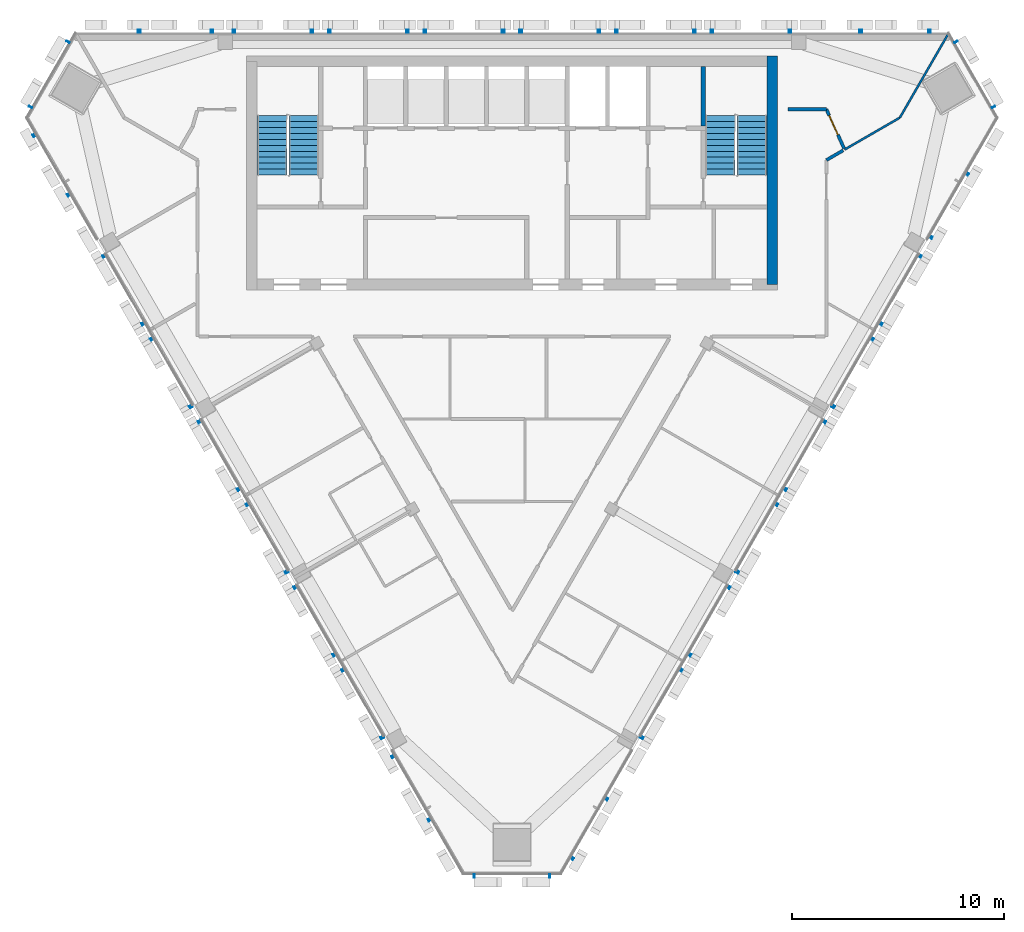
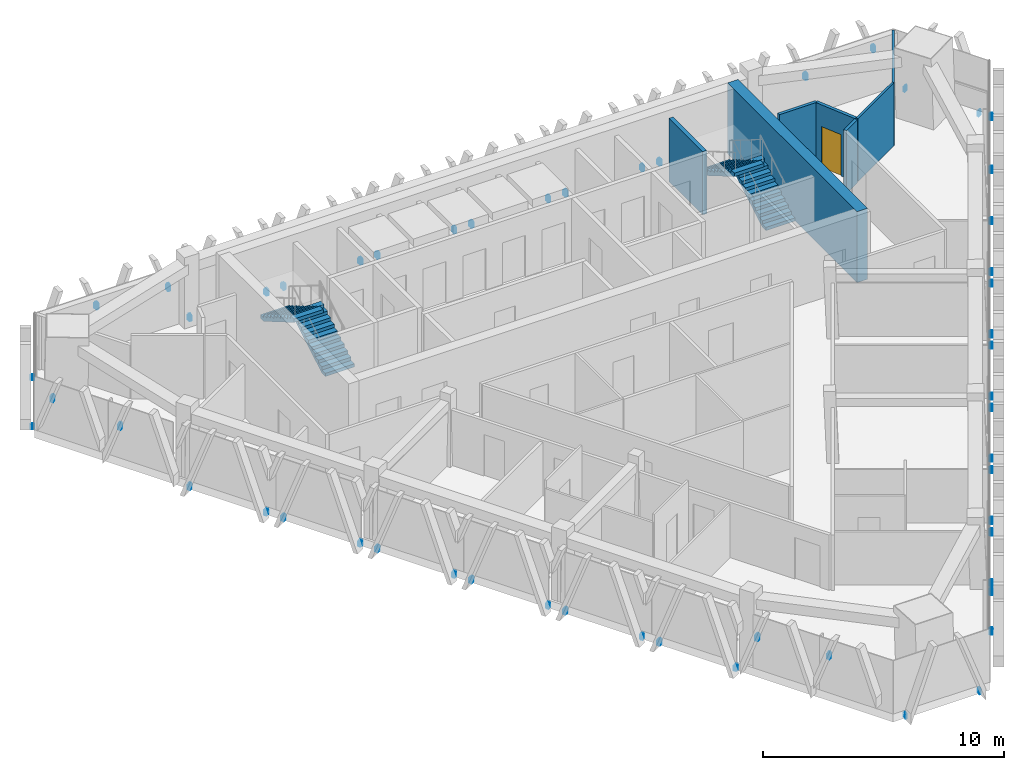
# One storey, part 10 of 12: 7 walls, 6 discrete accessories, 4 stair flights, 1 door, 1 opening, 2 elements without a shape of their own.
"""IFC4 building model written with IfcOpenShell, lengths in metres."""

import ifcopenshell
import ifcopenshell.guid

model = None  # the IFC model being written
_history = None  # IfcOwnerHistory: only IFC2X3 demands one
_inside = {}  # id of a spatial element -> (the spatial element, [elements in it])
_under = {}  # id of a project, library or spatial element -> (it, [spatial elements below it])
_declared = {}  # id of a project -> (the project, [libraries it declares])
_typed = {}  # id of a type object -> (the type object, [elements of that type])
_made_of = {}  # id of a material, layer set ... -> (it, [elements and type objects made of it])


def new_model(schema):
    """Start an empty IFC model of exactly this schema.

    Asked for "IFC4X3", IfcOpenShell would pick the latest addendum, in which some entities
    have other attributes; the version numbers below select the first issue.
    IFC2X3 requires an IfcOwnerHistory on every rooted entity: one is made here for all.
    """
    global model, _history
    if schema == "IFC4X3":
        model = ifcopenshell.file(schema_version=(4, 3, 0, 0))
    else:
        model = ifcopenshell.file(schema=schema)
    _inside.clear()
    _under.clear()
    _declared.clear()
    _typed.clear()
    _made_of.clear()
    _history = None
    if model.schema == "IFC2X3":
        org = make("IfcOrganization", Name="unknown")
        user = make(
            "IfcPersonAndOrganization",
            ThePerson=make("IfcPerson", FamilyName="unknown"),
            TheOrganization=org,
        )
        app = make(
            "IfcApplication",
            ApplicationDeveloper=org,
            Version="unknown",
            ApplicationFullName="unknown",
            ApplicationIdentifier="unknown",
        )
        _history = make(
            "IfcOwnerHistory",
            OwningUser=user,
            OwningApplication=app,
            ChangeAction="ADDED",
            CreationDate=0,
        )
    return model


def make(cls, **values):
    """One entity of the class cls with the attributes given. An attribute that is None is left unset."""
    return model.create_entity(
        cls, **{name: value for name, value in values.items() if value is not None}
    )


def rooted(cls, **values):
    """An entity with a GlobalId (a new one), such as an element, a storey or a relation."""
    return make(cls, GlobalId=ifcopenshell.guid.new(), OwnerHistory=_history, **values)


def si_unit(unit_type, name, prefix=None):
    """IfcSIUnit, for example si_unit("LENGTHUNIT", "METRE", prefix="MILLI")."""
    return make("IfcSIUnit", UnitType=unit_type, Prefix=prefix, Name=name)


def assignment(units):
    """IfcUnitAssignment: the units of a project."""
    return None if units is None else make("IfcUnitAssignment", Units=units)


def point(xyz):
    """IfcCartesianPoint."""
    return None if xyz is None else make("IfcCartesianPoint", Coordinates=xyz)


def direction(xyz):
    """IfcDirection."""
    return None if xyz is None else make("IfcDirection", DirectionRatios=xyz)


def frame(location, z_axis=None, x_axis=None):
    """IfcAxis2Placement3D, a coordinate frame: its origin and axes. An axis left out is left unset."""
    return make(
        "IfcAxis2Placement3D",
        Location=point(location),
        Axis=direction(z_axis),
        RefDirection=direction(x_axis),
    )


def frame_2d(location, x_axis=None):
    """IfcAxis2Placement2D, a coordinate frame in the plane: its origin and x axis."""
    return make(
        "IfcAxis2Placement2D", Location=point(location), RefDirection=direction(x_axis)
    )


def origin():
    """The frame at (0, 0, 0) with its axes left unset."""
    return frame((0.0, 0.0, 0.0))


def place(relative_to, where):
    """IfcLocalPlacement: puts the frame where relative to a parent placement (None: the world)."""
    return make(
        "IfcLocalPlacement", PlacementRelTo=relative_to, RelativePlacement=where
    )


def context(
    kind, dimensions, precision=None, world=None, true_north=None, identifier=None
):
    """IfcGeometricRepresentationContext, for example the 3D "Model" context."""
    return make(
        "IfcGeometricRepresentationContext",
        ContextIdentifier=identifier,
        ContextType=kind,
        CoordinateSpaceDimension=dimensions,
        Precision=precision,
        WorldCoordinateSystem=world,
        TrueNorth=true_north,
    )


def subcontext(parent, identifier, kind, view, scale=None):
    """IfcGeometricRepresentationSubContext, for example "Body" below "Model"."""
    return make(
        "IfcGeometricRepresentationSubContext",
        ContextIdentifier=identifier,
        ContextType=kind,
        ParentContext=parent,
        TargetScale=scale,
        TargetView=view,
    )


def project(units=None, contexts=None):
    """IfcProject with its units and contexts."""
    return rooted(
        "IfcProject",
        Name="project",
        RepresentationContexts=contexts,
        UnitsInContext=assignment(units),
    )


def spatial(cls, under=None, at=None, **own):
    """A site, building, storey or space (cls), placed at a placement, below another one or the project."""
    s = rooted(cls, ObjectPlacement=at, **own)
    if under is not None:
        _under.setdefault(under.id(), (under, []))[1].append(s)
    return s


def polyline(points):
    """IfcPolyline through the points."""
    return make("IfcPolyline", Points=[point(p) for p in points])


def profile(cls, at=None, kind="AREA", **sizes):
    """A parametric profile (cls). Its sizes go by their IFC names, for example OverallWidth=200.0."""
    return make(cls, ProfileType=kind, Position=at, **sizes)


def rectangle(**sizes):
    """IfcRectangleProfileDef."""
    return profile("IfcRectangleProfileDef", **sizes)


def outline(outer, holes=None, kind="AREA"):
    """IfcArbitraryClosedProfileDef: a profile drawn as a closed curve; with holes, ...WithVoids."""
    if holes is None:
        return make("IfcArbitraryClosedProfileDef", ProfileType=kind, OuterCurve=outer)
    return make(
        "IfcArbitraryProfileDefWithVoids",
        ProfileType=kind,
        OuterCurve=outer,
        InnerCurves=holes,
    )


def extrude(swept, where, along, depth):
    """IfcExtrudedAreaSolid: the profile swept, set in the frame where, extruded along a direction by depth."""
    return make(
        "IfcExtrudedAreaSolid",
        SweptArea=swept,
        Position=where,
        ExtrudedDirection=direction(along),
        Depth=depth,
    )


def shape(context_of_items, identifier, shape_type, items):
    """IfcShapeRepresentation: the items that make up one representation, for example the "Body"."""
    return make(
        "IfcShapeRepresentation",
        ContextOfItems=context_of_items,
        RepresentationIdentifier=identifier,
        RepresentationType=shape_type,
        Items=items,
    )


def source(mapping_origin, context_of_items, identifier, shape_type, items):
    """IfcRepresentationMap: a shape defined once, which mapped items show again and again."""
    return make(
        "IfcRepresentationMap",
        MappingOrigin=mapping_origin,
        MappedRepresentation=shape(context_of_items, identifier, shape_type, items),
    )


def transform(
    local_origin,
    x_axis=None,
    y_axis=None,
    z_axis=None,
    scale=None,
    scale2=None,
    scale3=None,
    uniform=True,
):
    """IfcCartesianTransformationOperator3D, or its non-uniform kind. x_axis, y_axis, z_axis: its Axis1, 2, 3."""
    if uniform:
        return make(
            "IfcCartesianTransformationOperator3D",
            Axis1=direction(x_axis),
            Axis2=direction(y_axis),
            LocalOrigin=point(local_origin),
            Scale=scale,
            Axis3=direction(z_axis),
        )
    return make(
        "IfcCartesianTransformationOperator3DnonUniform",
        Axis1=direction(x_axis),
        Axis2=direction(y_axis),
        LocalOrigin=point(local_origin),
        Scale=scale,
        Axis3=direction(z_axis),
        Scale2=scale2,
        Scale3=scale3,
    )


def mapped(mapping_source, mapping_target):
    """IfcMappedItem: shows the shape of a source again, moved by a transform."""
    return make(
        "IfcMappedItem", MappingSource=mapping_source, MappingTarget=mapping_target
    )


def material(Name=None, Category=None):
    """IfcMaterial."""
    return make("IfcMaterial", Name=Name, Category=Category)


def layer(
    of_material, thickness, ventilated=None, Name=None, Category=None, Priority=None
):
    """IfcMaterialLayer: one layer of a wall or slab, of a material (None: an air gap)."""
    return make(
        "IfcMaterialLayer",
        Material=of_material,
        LayerThickness=thickness,
        IsVentilated=ventilated,
        Name=Name,
        Category=Category,
        Priority=Priority,
    )


def layer_set(layers, Name=None):
    """IfcMaterialLayerSet."""
    return make("IfcMaterialLayerSet", MaterialLayers=layers, LayerSetName=Name)


def made_of(thing, what):
    """Note that an element or type object is made of a material, layer set ...; save() writes the relation."""
    if what is not None:
        _made_of.setdefault(what.id(), (what, []))[1].append(thing)
    return thing


def type_object(cls, material=None, **own):
    """A type object (cls), such as IfcWallType, which elements share."""
    return made_of(rooted(cls, **own), material)


def element(
    cls,
    number,
    at=None,
    inside=None,
    cuts=None,
    type_object=None,
    material=None,
    context=None,
    identifier="Body",
    shape_type=None,
    held_by="IfcProductDefinitionShape",
    body=None,
    shapes=None,
    **own,
):
    """One element of the class cls, such as IfcWall. Its Tag is "e" and its number.

    at: its placement. inside: the storey or other place that contains it. cuts: it is an
    opening in that element (IfcRelVoidsElement). A single representation is given by context,
    identifier, shape_type and body (its items); several are given by shapes. held_by: the class
    of the entity that holds the representations. save() writes the other relations.
    """
    e = rooted(cls, Tag="e%d" % number, ObjectPlacement=at, **own)
    if body is not None:
        shapes = [shape(context, identifier, shape_type, body)]
    if shapes is not None:
        e.Representation = make(held_by, Representations=shapes)
    if inside is not None:
        _inside.setdefault(inside.id(), (inside, []))[1].append(e)
    if cuts is not None:
        rooted(
            "IfcRelVoidsElement", RelatingBuildingElement=cuts, RelatedOpeningElement=e
        )
    if type_object is not None:
        _typed.setdefault(type_object.id(), (type_object, []))[1].append(e)
    return made_of(e, material)


def fill(opening, filler):
    """IfcRelFillsElement: the door or window that sits in an opening."""
    return rooted(
        "IfcRelFillsElement",
        RelatingOpeningElement=opening,
        RelatedBuildingElement=filler,
    )


def aggregate(whole, parts):
    """IfcRelAggregates: a whole, such as a stair, and the parts it consists of."""
    return rooted("IfcRelAggregates", RelatingObject=whole, RelatedObjects=parts)


def save(model, path):
    """Write the relations noted so far, then the file.

    IfcRelAggregates (storeys below a building ...), IfcRelContainedInSpatialStructure (elements
    in a storey), IfcRelDefinesByType, IfcRelAssociatesMaterial and IfcRelDeclares: one each for
    every whole, place, type object, material and project.
    """
    for whole, parts in _under.values():
        aggregate(whole, parts)
    for where, things in _inside.values():
        rooted(
            "IfcRelContainedInSpatialStructure",
            RelatedElements=things,
            RelatingStructure=where,
        )
    for kind, things in _typed.values():
        rooted("IfcRelDefinesByType", RelatedObjects=things, RelatingType=kind)
    for what, things in _made_of.values():
        rooted("IfcRelAssociatesMaterial", RelatedObjects=things, RelatingMaterial=what)
    for by, libraries in _declared.values():
        rooted("IfcRelDeclares", RelatingContext=by, RelatedDefinitions=libraries)
    model.write(path)


model = new_model("IFC4")

# Units and contexts
model_context = context("Model", 3, precision=1e-05, world=origin(), true_north=direction((0.0, 1.0)))
body_context = subcontext(model_context, "Body", "Model", "MODEL_VIEW")
ifc_project = project(units=[si_unit("LENGTHUNIT", "METRE"), si_unit("AREAUNIT", "SQUARE_METRE"), si_unit("VOLUMEUNIT", "CUBIC_METRE"), si_unit("PLANEANGLEUNIT", "RADIAN"), si_unit("MASSUNIT", "GRAM", prefix="KILO")], contexts=[model_context])

# Site, building, storey
site_placement = place(None, origin())
site = spatial("IfcSite", under=ifc_project, at=site_placement, CompositionType="ELEMENT")
building_placement = place(site_placement, origin())
building = spatial("IfcBuilding", under=site, at=building_placement, Name="Altiplano Prism Tower", CompositionType="ELEMENT")
storey_placement = place(building_placement, frame((0.0, 0.0, 278.800048828125)))
storey = spatial("IfcBuildingStorey", under=building, at=storey_placement, Name="L72", CompositionType="ELEMENT", Elevation=278.800048828125)

# Walls
ifc_material_1 = material(Name="Concrete C60/75", Category="concrete")
ifc_layer_1 = layer(ifc_material_1, 0.5)
ifc_layer_set_1 = layer_set([ifc_layer_1], Name="Concrete C60/75")
wall_type_1 = type_object("IfcWallType", Name="Core wall 500", PredefinedType="SHEAR", material=ifc_layer_set_1)
wall_1_placement = place(storey_placement, frame((97.25, 93.14990234375, 0.0), z_axis=(0.0, 0.0, 1.0), x_axis=(0.0, 1.0, 0.0)))
element("IfcWall", 1, at=wall_1_placement, inside=storey, type_object=wall_type_1, Name="Core wall E L72", PredefinedType="SHEAR", context=body_context, shape_type="SweptSolid", body=[
    extrude(rectangle(XDim=10.75, YDim=0.5, at=frame_2d((5.375, 0.0))), origin(), (0.0, 0.0, 1.0), 3.599853515625),
])
ifc_material_2 = material(Name="Plasterboard on steel stud", Category="steel")
ifc_layer_2 = layer(ifc_material_2, 0.10009765625)
ifc_layer_set_2 = layer_set([ifc_layer_2], Name="Plasterboard on steel stud")
wall_type_2 = type_object("IfcWallType", Name="Partition 100 wet", PredefinedType="PARTITIONING", material=ifc_layer_set_2)
wall_2_placement = place(storey_placement, frame((105.50927734375, 104.89990234375, 0.0), z_axis=(0.0, 0.0, 1.0), x_axis=(-0.500041721178, -0.866001314711, 0.0)))
element("IfcWall", 2, at=wall_2_placement, inside=storey, type_object=wall_type_2, Name="Partition P03 L72 045", PredefinedType="PARTITIONING", context=body_context, shape_type="SweptSolid", body=[
    extrude(rectangle(XDim=4.5009765625, YDim=0.10009765625, at=frame_2d((2.25048828125, 0.0))), origin(), (0.0, 0.0, 1.0), 2.699951171875),
])
wall_3_placement = place(storey_placement, frame((103.258544921875, 101.001953125, 0.0), z_axis=(0.0, 0.0, 1.0), x_axis=(-0.866013688016, -0.500020291757, 0.0)))
element("IfcWall", 3, at=wall_3_placement, inside=storey, type_object=wall_type_2, Name="Partition P03 L72 046", PredefinedType="PARTITIONING", context=body_context, shape_type="SweptSolid", body=[
    extrude(rectangle(XDim=3.00390625, YDim=0.10009765625, at=frame_2d((1.501953125, 0.0))), origin(), (0.0, 0.0, 1.0), 3.199951171875),
])
ifc_layer_3 = layer(ifc_material_2, 0.14990234375)
ifc_layer_set_3 = layer_set([ifc_layer_3], Name="Plasterboard on steel stud")
wall_type_3 = type_object("IfcWallType", Name="Partition 150 corridor", PredefinedType="PARTITIONING", material=ifc_layer_set_3)
wall_4_placement = place(storey_placement, frame((99.800048828125, 99.005126953125, 0.0), z_axis=(0.0, 0.0, 1.0), x_axis=(0.866034527326, 0.49998419723, 0.0)))
element("IfcWall", 4, at=wall_4_placement, inside=storey, type_object=wall_type_3, Name="Partition P06 L72 011", PredefinedType="PARTITIONING", context=body_context, shape_type="SweptSolid", body=[
    extrude(rectangle(XDim=0.9150390625, YDim=0.14990234375, at=frame_2d((0.45751953125, 0.0))), origin(), (0.0, 0.0, 1.0), 3.199951171875),
])

# Wall, opening, door
wall_5_placement = place(storey_placement, frame((100.63330078125, 99.552734375, 0.0), z_axis=(0.0, 0.0, 1.0), x_axis=(-0.411196089884, 0.911546913584, 0.0)))
wall_5 = element("IfcWall", 5, at=wall_5_placement, inside=storey, type_object=wall_type_3, Name="Partition P06 L72 015", PredefinedType="PARTITIONING", context=body_context, shape_type="SweptSolid", body=[
    extrude(rectangle(XDim=2.0263671875, YDim=0.14990234375, at=frame_2d((1.01318359375, 0.0))), origin(), (0.0, 0.0, 1.0), 3.199951171875),
])
opening_placement = place(wall_5_placement, frame((0.7080078125, 0.0, 0.0)))
opening = element("IfcOpeningElement", 6, at=opening_placement, cuts=wall_5, Name="Opening D2267", PredefinedType="OPENING", context=body_context, shape_type="SweptSolid", body=[
    extrude(rectangle(XDim=1.0, YDim=2.10009765625, at=frame_2d((0.5, 1.050048828125))), frame((0.0, 0.08544921875, 0.0), z_axis=(0.0, -1.0, 0.0), x_axis=(1.0, 0.0, 0.0)), (0.0, 0.0, 1.0), 0.1708984375),
])
ifc_material_3 = material(Name="Timber", Category="wood")
door_type = type_object("IfcDoorType", Name="Store door 1000 x 2100", OperationType="NOTDEFINED", PredefinedType="NOTDEFINED", material=ifc_material_3)
door_placement = place(opening_placement, origin())
door = element("IfcDoor", 7, at=door_placement, inside=storey, type_object=door_type, Name="Door D2267", OperationType="SINGLE_SWING_LEFT", OverallHeight=2.10009765625, OverallWidth=1.0, PredefinedType="NOTDEFINED", context=body_context, shape_type="SweptSolid", body=[
    extrude(rectangle(XDim=1.0, YDim=2.10009765625, at=frame_2d((0.5, 1.050048828125))), frame((0.0, 0.02490234375, 0.0), z_axis=(0.0, -1.0, 0.0), x_axis=(1.0, 0.0, 0.0)), (0.0, 0.0, 1.0), 0.050048828125),
])
fill(opening, door)

# Walls
wall_6_placement = place(storey_placement, frame((99.800048828125, 101.39990234375, 0.0), z_axis=(0.0, 0.0, 1.0), x_axis=(-1.0, 0.0, 0.0)))
element("IfcWall", 8, at=wall_6_placement, inside=storey, type_object=wall_type_3, Name="Partition P06 L72 016", PredefinedType="PARTITIONING", context=body_context, shape_type="SweptSolid", body=[
    extrude(rectangle(XDim=1.800048828125, YDim=0.14990234375, at=frame_2d((0.89990234375, 0.0))), origin(), (0.0, 0.0, 1.0), 3.199951171875),
])
ifc_layer_4 = layer(ifc_material_1, 0.199951171875)
ifc_layer_set_4 = layer_set([ifc_layer_4], Name="Concrete C60/75")
wall_type_4 = type_object("IfcWallType", Name="Stair wall 200", PredefinedType="SOLIDWALL", material=ifc_layer_set_4)
wall_7_placement = place(storey_placement, frame((94.0, 100.60009765625, 0.0), z_axis=(0.0, 0.0, 1.0), x_axis=(0.0, 1.0, 0.0)))
element("IfcWall", 9, at=wall_7_placement, inside=storey, type_object=wall_type_4, Name="Stair wall L72", PredefinedType="SOLIDWALL", context=body_context, shape_type="SweptSolid", body=[
    extrude(rectangle(XDim=2.7998046875, YDim=0.199951171875, at=frame_2d((1.39990234375, 0.0))), origin(), (0.0, 0.0, 1.0), 3.199951171875),
])

# Stair, stair flights
ifc_material_4 = material(Name="Concrete C40/50", Category="concrete")
stair_type = type_object("IfcStairType", Name="Exit stair 1400", PredefinedType="HALF_TURN_STAIR", material=ifc_material_4)
stair_1_placement = place(storey_placement, origin())
stair_1 = element("IfcStair", 10, at=stair_1_placement, inside=storey, type_object=stair_type, Name="L72 Exit Stair 1", PredefinedType="HALF_TURN_STAIR")
stair_flight_type = type_object("IfcStairFlightType", Name="Stair flight concrete 150", PredefinedType="STRAIGHT", material=ifc_material_4)
stair_flight_1_placement = place(storey_placement, frame((75.199951171875, 98.300048828125, 0.0), z_axis=(0.0, 0.0, 1.0), x_axis=(0.0, 1.0, 0.0)))
stair_flight_1 = element("IfcStairFlight", 11, at=stair_flight_1_placement, type_object=stair_flight_type, Name="ST1 flight 1", NumberOfRisers=11, NumberOfTreads=10, PredefinedType="STRAIGHT", RiserHeight=0.163636364, TreadLength=0.28, context=body_context, shape_type="SweptSolid", body=[
    extrude(outline(polyline([(0.0, 0.0), (0.0, 0.16357421875), (0.280029296875, 0.16357421875), (0.280029296875, 0.327392578125), (0.56005859375, 0.327392578125), (0.56005859375, 0.490966796875), (0.840087890625, 0.490966796875), (0.840087890625, 0.654541015625), (1.1201171875, 0.654541015625), (1.1201171875, 0.818115234375), (1.39990234375, 0.818115234375), (1.39990234375, 0.98193359375), (1.679931640625, 0.98193359375), (1.679931640625, 1.1455078125), (1.9599609375, 1.1455078125), (1.9599609375, 1.30908203125), (2.239990234375, 1.30908203125), (2.239990234375, 1.47265625), (2.52001953125, 1.47265625), (2.52001953125, 1.636474609375), (2.800048828125, 1.636474609375), (2.800048828125, 1.800048828125), (2.800048828125, 1.462646484375), (0.297119140625, 0.0), (0.0, 0.0)])), frame((0.0, 0.699951171875, 0.0), z_axis=(0.0, -1.0, 0.0), x_axis=(1.0, 0.0, 0.0)), (0.0, 0.0, 1.0), 1.39990234375),
])
stair_flight_2_placement = place(storey_placement, frame((73.699951171875, 101.10009765625, 1.800048828125), z_axis=(0.0, 0.0, 1.0), x_axis=(0.0, -1.0, 0.0)))
stair_flight_2 = element("IfcStairFlight", 12, at=stair_flight_2_placement, type_object=stair_flight_type, Name="ST1 flight 2", NumberOfRisers=11, NumberOfTreads=10, PredefinedType="STRAIGHT", RiserHeight=0.163636364, TreadLength=0.28, context=body_context, shape_type="SweptSolid", body=[
    extrude(outline(polyline([(0.0, 0.0), (0.0, 0.16357421875), (0.280029296875, 0.16357421875), (0.280029296875, 0.327392578125), (0.56005859375, 0.327392578125), (0.56005859375, 0.490966796875), (0.840087890625, 0.490966796875), (0.840087890625, 0.654541015625), (1.1201171875, 0.654541015625), (1.1201171875, 0.818115234375), (1.39990234375, 0.818115234375), (1.39990234375, 0.98193359375), (1.679931640625, 0.98193359375), (1.679931640625, 1.1455078125), (1.9599609375, 1.1455078125), (1.9599609375, 1.30908203125), (2.239990234375, 1.30908203125), (2.239990234375, 1.47265625), (2.52001953125, 1.47265625), (2.52001953125, 1.636474609375), (2.800048828125, 1.636474609375), (2.800048828125, 1.800048828125), (2.800048828125, 1.462646484375), (0.297119140625, 0.0), (0.0, 0.0)])), frame((0.0, 0.699951171875, 0.0), z_axis=(0.0, -1.0, 0.0), x_axis=(1.0, 0.0, 0.0)), (0.0, 0.0, 1.0), 1.39990234375),
])
aggregate(stair_1, [stair_flight_1, stair_flight_2])

stair_2_placement = place(storey_placement, origin())
stair_2 = element("IfcStair", 13, at=stair_2_placement, inside=storey, type_object=stair_type, Name="L72 Exit Stair 2", PredefinedType="HALF_TURN_STAIR")
stair_flight_3_placement = place(storey_placement, frame((96.300048828125, 98.300048828125, 0.0), z_axis=(0.0, 0.0, 1.0), x_axis=(0.0, 1.0, 0.0)))
stair_flight_3 = element("IfcStairFlight", 14, at=stair_flight_3_placement, type_object=stair_flight_type, Name="ST2 flight 1", NumberOfRisers=11, NumberOfTreads=10, PredefinedType="STRAIGHT", RiserHeight=0.163636364, TreadLength=0.28, context=body_context, shape_type="SweptSolid", body=[
    extrude(outline(polyline([(0.0, 0.0), (0.0, 0.16357421875), (0.280029296875, 0.16357421875), (0.280029296875, 0.327392578125), (0.56005859375, 0.327392578125), (0.56005859375, 0.490966796875), (0.840087890625, 0.490966796875), (0.840087890625, 0.654541015625), (1.1201171875, 0.654541015625), (1.1201171875, 0.818115234375), (1.39990234375, 0.818115234375), (1.39990234375, 0.98193359375), (1.679931640625, 0.98193359375), (1.679931640625, 1.1455078125), (1.9599609375, 1.1455078125), (1.9599609375, 1.30908203125), (2.239990234375, 1.30908203125), (2.239990234375, 1.47265625), (2.52001953125, 1.47265625), (2.52001953125, 1.636474609375), (2.800048828125, 1.636474609375), (2.800048828125, 1.800048828125), (2.800048828125, 1.462646484375), (0.297119140625, 0.0), (0.0, 0.0)])), frame((0.0, 0.699951171875, 0.0), z_axis=(0.0, -1.0, 0.0), x_axis=(1.0, 0.0, 0.0)), (0.0, 0.0, 1.0), 1.39990234375),
])
stair_flight_4_placement = place(storey_placement, frame((94.800048828125, 101.10009765625, 1.800048828125), z_axis=(0.0, 0.0, 1.0), x_axis=(0.0, -1.0, 0.0)))
stair_flight_4 = element("IfcStairFlight", 15, at=stair_flight_4_placement, type_object=stair_flight_type, Name="ST2 flight 2", NumberOfRisers=11, NumberOfTreads=10, PredefinedType="STRAIGHT", RiserHeight=0.163636364, TreadLength=0.28, context=body_context, shape_type="SweptSolid", body=[
    extrude(outline(polyline([(0.0, 0.0), (0.0, 0.16357421875), (0.280029296875, 0.16357421875), (0.280029296875, 0.327392578125), (0.56005859375, 0.327392578125), (0.56005859375, 0.490966796875), (0.840087890625, 0.490966796875), (0.840087890625, 0.654541015625), (1.1201171875, 0.654541015625), (1.1201171875, 0.818115234375), (1.39990234375, 0.818115234375), (1.39990234375, 0.98193359375), (1.679931640625, 0.98193359375), (1.679931640625, 1.1455078125), (1.9599609375, 1.1455078125), (1.9599609375, 1.30908203125), (2.239990234375, 1.30908203125), (2.239990234375, 1.47265625), (2.52001953125, 1.47265625), (2.52001953125, 1.636474609375), (2.800048828125, 1.636474609375), (2.800048828125, 1.800048828125), (2.800048828125, 1.462646484375), (0.297119140625, 0.0), (0.0, 0.0)])), frame((0.0, 0.699951171875, 0.0), z_axis=(0.0, -1.0, 0.0), x_axis=(1.0, 0.0, 0.0)), (0.0, 0.0, 1.0), 1.39990234375),
])
aggregate(stair_2, [stair_flight_3, stair_flight_4])

# Discrete accessories
ifc_material_5 = material(Name="Stainless steel", Category="steel")
discrete_accessory_type = type_object("IfcDiscreteAccessoryType", Name="Stone fin fixing prongs", PredefinedType="USERDEFINED", material=ifc_material_5)
shared_shape_1 = source(origin(), body_context, "Body", "SweptSolid", [
    extrude(outline(polyline([(-1.11181640625, 2.20849609375), (-0.991943359375, 2.20849609375), (-0.991943359375, 2.508544921875), (-1.11181640625, 2.508544921875), (-1.11181640625, 2.20849609375)])), frame((0.0, 0.0, 0.0), z_axis=(0.0, -1.0, 0.0), x_axis=(1.0, 0.0, 0.0)), (0.0, 0.0, 1.0), 0.14990234375),
])
shared_shape_2 = source(origin(), body_context, "Body", "SweptSolid", [
    extrude(outline(polyline([(-1.21142578125, 1.934814453125), (-1.091552734375, 1.934814453125), (-1.091552734375, 2.234619140625), (-1.21142578125, 2.234619140625), (-1.21142578125, 1.934814453125)])), frame((0.0, 0.0, 0.0), z_axis=(0.0, -1.0, 0.0), x_axis=(1.0, 0.0, 0.0)), (0.0, 0.0, 1.0), 0.14990234375),
])
shared_shape_3 = source(origin(), body_context, "Body", "SweptSolid", [
    extrude(outline(polyline([(-1.8974609375, 0.06005859375), (-1.777587890625, 0.06005859375), (-1.777587890625, 0.340087890625), (-1.8974609375, 0.340087890625), (-1.8974609375, 0.06005859375)])), frame((0.0, 0.0, 0.0), z_axis=(0.0, -1.0, 0.0), x_axis=(1.0, 0.0, 0.0)), (0.0, 0.0, 1.0), 0.14990234375),
    extrude(outline(polyline([(1.777587890625, 0.06005859375), (1.8974609375, 0.06005859375), (1.8974609375, 0.340087890625), (1.777587890625, 0.340087890625), (1.777587890625, 0.06005859375)])), frame((0.0, 0.0, 0.0), z_axis=(0.0, -1.0, 0.0), x_axis=(1.0, 0.0, 0.0)), (0.0, 0.0, 1.0), 0.14990234375),
])
discrete_accessory_1_placement = place(storey_placement, origin())
element("IfcDiscreteAccessory", 16, at=discrete_accessory_1_placement, inside=storey, type_object=discrete_accessory_type, Name="Fin fixings L72 north face", ObjectType="BRACKET", PredefinedType="USERDEFINED", context=body_context, shape_type="MappedRepresentation", body=[
    mapped(shared_shape_1, transform((103.600341796875, 105.0, -0.400146484375), x_axis=(-1.0, 0.0, 0.0), y_axis=(0.0, -1.0, 0.0), z_axis=(0.0, 0.0, 1.0))),
    mapped(shared_shape_2, transform((100.266845703125, 105.0, -0.400146484375), x_axis=(-1.0, 0.0, 0.0), y_axis=(0.0, -1.0, 0.0), z_axis=(0.0, 0.0, 1.0))),
    mapped(shared_shape_3, transform((96.25, 105.0, -0.400146484375), x_axis=(-1.0, 0.0, 0.0), y_axis=(0.0, -1.0, 0.0), z_axis=(0.0, 0.0, 1.0))),
    mapped(shared_shape_3, transform((91.75, 105.0, -0.400146484375), x_axis=(-1.0, 0.0, 0.0), y_axis=(0.0, -1.0, 0.0), z_axis=(0.0, 0.0, 1.0))),
    mapped(shared_shape_3, transform((87.25, 105.0, -0.400146484375), x_axis=(-1.0, 0.0, 0.0), y_axis=(0.0, -1.0, 0.0), z_axis=(0.0, 0.0, 1.0))),
    mapped(shared_shape_3, transform((82.75, 105.0, -0.400146484375), x_axis=(-1.0, 0.0, 0.0), y_axis=(0.0, -1.0, 0.0), z_axis=(0.0, 0.0, 1.0))),
    mapped(shared_shape_3, transform((78.25, 105.0, -0.400146484375), x_axis=(-1.0, 0.0, 0.0), y_axis=(0.0, -1.0, 0.0), z_axis=(0.0, 0.0, 1.0))),
    mapped(shared_shape_3, transform((73.75, 105.0, -0.400146484375), x_axis=(-1.0, 0.0, 0.0), y_axis=(0.0, -1.0, 0.0), z_axis=(0.0, 0.0, 1.0))),
    mapped(shared_shape_2, transform((69.733154296875, 105.0, -0.400146484375), x_axis=(-1.0, 0.0, 0.0), y_axis=(0.0, -1.0, 0.0), z_axis=(0.0, 0.0, 1.0))),
    mapped(shared_shape_1, transform((66.399658203125, 105.0, -0.400146484375), x_axis=(-1.0, 0.0, 0.0), y_axis=(0.0, -1.0, 0.0), z_axis=(0.0, 0.0, 1.0))),
])
discrete_accessory_2_placement = place(storey_placement, origin())
element("IfcDiscreteAccessory", 17, at=discrete_accessory_2_placement, inside=storey, type_object=discrete_accessory_type, Name="Fin fixings L72 south-west face", ObjectType="BRACKET", PredefinedType="USERDEFINED", context=body_context, shape_type="MappedRepresentation", body=[
    mapped(shared_shape_1, transform((63.108154296875, 99.298828125, -0.400146484375), x_axis=(0.499999990992, -0.866025408985, 0.0), y_axis=(0.866025408985, 0.499999990992, 0.0), z_axis=(0.0, 0.0, 1.0))),
    mapped(shared_shape_2, transform((64.77490234375, 96.411865234375, -0.400146484375), x_axis=(0.499999990992, -0.866025408985, 0.0), y_axis=(0.866025408985, 0.499999990992, 0.0), z_axis=(0.0, 0.0, 1.0))),
    mapped(shared_shape_3, transform((66.783203125, 92.933349609375, -0.400146484375), x_axis=(0.499999990992, -0.866025408985, 0.0), y_axis=(0.866025408985, 0.499999990992, 0.0), z_axis=(0.0, 0.0, 1.0))),
    mapped(shared_shape_3, transform((69.033203125, 89.0361328125, -0.400146484375), x_axis=(0.499999990992, -0.866025408985, 0.0), y_axis=(0.866025408985, 0.499999990992, 0.0), z_axis=(0.0, 0.0, 1.0))),
    mapped(shared_shape_3, transform((71.283203125, 85.13916015625, -0.400146484375), x_axis=(0.499999990992, -0.866025408985, 0.0), y_axis=(0.866025408985, 0.499999990992, 0.0), z_axis=(0.0, 0.0, 1.0))),
    mapped(shared_shape_3, transform((73.533203125, 81.241943359375, -0.400146484375), x_axis=(0.499999990992, -0.866025408985, 0.0), y_axis=(0.866025408985, 0.499999990992, 0.0), z_axis=(0.0, 0.0, 1.0))),
    mapped(shared_shape_3, transform((75.783203125, 77.344970703125, -0.400146484375), x_axis=(0.499999990992, -0.866025408985, 0.0), y_axis=(0.866025408985, 0.499999990992, 0.0), z_axis=(0.0, 0.0, 1.0))),
    mapped(shared_shape_3, transform((78.033203125, 73.44775390625, -0.400146484375), x_axis=(0.499999990992, -0.866025408985, 0.0), y_axis=(0.866025408985, 0.499999990992, 0.0), z_axis=(0.0, 0.0, 1.0))),
    mapped(shared_shape_2, transform((80.041748046875, 69.96923828125, -0.400146484375), x_axis=(0.499999990992, -0.866025408985, 0.0), y_axis=(0.866025408985, 0.499999990992, 0.0), z_axis=(0.0, 0.0, 1.0))),
    mapped(shared_shape_1, transform((81.70849609375, 67.082275390625, -0.400146484375), x_axis=(0.499999990992, -0.866025408985, 0.0), y_axis=(0.866025408985, 0.499999990992, 0.0), z_axis=(0.0, 0.0, 1.0))),
])
discrete_accessory_3_placement = place(storey_placement, origin())
element("IfcDiscreteAccessory", 18, at=discrete_accessory_3_placement, inside=storey, type_object=discrete_accessory_type, Name="Fin fixings L72 south-east face", ObjectType="BRACKET", PredefinedType="USERDEFINED", context=body_context, shape_type="MappedRepresentation", body=[
    mapped(shared_shape_1, transform((88.29150390625, 67.082275390625, -0.400146484375), x_axis=(0.499999990992, 0.866025408985, 0.0), y_axis=(-0.866025408985, 0.499999990992, 0.0), z_axis=(0.0, 0.0, 1.0))),
    mapped(shared_shape_2, transform((89.958251953125, 69.96923828125, -0.400146484375), x_axis=(0.499999990992, 0.866025408985, 0.0), y_axis=(-0.866025408985, 0.499999990992, 0.0), z_axis=(0.0, 0.0, 1.0))),
    mapped(shared_shape_3, transform((91.966796875, 73.44775390625, -0.400146484375), x_axis=(0.499999990992, 0.866025408985, 0.0), y_axis=(-0.866025408985, 0.499999990992, 0.0), z_axis=(0.0, 0.0, 1.0))),
    mapped(shared_shape_3, transform((94.216796875, 77.344970703125, -0.400146484375), x_axis=(0.499999990992, 0.866025408985, 0.0), y_axis=(-0.866025408985, 0.499999990992, 0.0), z_axis=(0.0, 0.0, 1.0))),
    mapped(shared_shape_3, transform((96.466796875, 81.241943359375, -0.400146484375), x_axis=(0.499999990992, 0.866025408985, 0.0), y_axis=(-0.866025408985, 0.499999990992, 0.0), z_axis=(0.0, 0.0, 1.0))),
    mapped(shared_shape_3, transform((98.716796875, 85.13916015625, -0.400146484375), x_axis=(0.499999990992, 0.866025408985, 0.0), y_axis=(-0.866025408985, 0.499999990992, 0.0), z_axis=(0.0, 0.0, 1.0))),
    mapped(shared_shape_3, transform((100.966796875, 89.0361328125, -0.400146484375), x_axis=(0.499999990992, 0.866025408985, 0.0), y_axis=(-0.866025408985, 0.499999990992, 0.0), z_axis=(0.0, 0.0, 1.0))),
    mapped(shared_shape_3, transform((103.216796875, 92.933349609375, -0.400146484375), x_axis=(0.499999990992, 0.866025408985, 0.0), y_axis=(-0.866025408985, 0.499999990992, 0.0), z_axis=(0.0, 0.0, 1.0))),
    mapped(shared_shape_2, transform((105.22509765625, 96.411865234375, -0.400146484375), x_axis=(0.499999990992, 0.866025408985, 0.0), y_axis=(-0.866025408985, 0.499999990992, 0.0), z_axis=(0.0, 0.0, 1.0))),
    mapped(shared_shape_1, transform((106.891845703125, 99.298828125, -0.400146484375), x_axis=(0.499999990992, 0.866025408985, 0.0), y_axis=(-0.866025408985, 0.499999990992, 0.0), z_axis=(0.0, 0.0, 1.0))),
])
shared_shape_4 = source(origin(), body_context, "Body", "SweptSolid", [
    extrude(outline(polyline([(-1.7900390625, 0.06005859375), (-1.74755859375, 0.06005859375), (-1.74755859375, 0.340087890625), (-1.7900390625, 0.340087890625), (-1.7900390625, 0.06005859375)])), frame((0.0, 0.0, 0.0), z_axis=(0.0, -1.0, 0.0), x_axis=(1.0, 0.0, 0.0)), (0.0, 0.0, 1.0), 0.14990234375),
    extrude(outline(polyline([(1.74755859375, 0.06005859375), (1.7900390625, 0.06005859375), (1.7900390625, 0.340087890625), (1.74755859375, 0.340087890625), (1.74755859375, 0.06005859375)])), frame((0.0, 0.0, 0.0), z_axis=(0.0, -1.0, 0.0), x_axis=(1.0, 0.0, 0.0)), (0.0, 0.0, 1.0), 0.14990234375),
])
discrete_accessory_4_placement = place(storey_placement, origin())
element("IfcDiscreteAccessory", 19, at=discrete_accessory_4_placement, inside=storey, type_object=discrete_accessory_type, Name="Fin fixings L72 north-west chamfer", ObjectType="BRACKET", PredefinedType="USERDEFINED", context=body_context, shape_type="MappedRepresentation", body=[
    mapped(shared_shape_4, transform((63.27880859375, 103.0009765625, -0.400146484375), x_axis=(-0.499999876913, -0.866025474849, 0.0), y_axis=(0.866025474849, -0.499999876913, 0.0), z_axis=(0.0, 0.0, 1.0))),
])
discrete_accessory_5_placement = place(storey_placement, origin())
element("IfcDiscreteAccessory", 20, at=discrete_accessory_5_placement, inside=storey, type_object=discrete_accessory_type, Name="Fin fixings L72 south chamfer", ObjectType="BRACKET", PredefinedType="USERDEFINED", context=body_context, shape_type="MappedRepresentation", body=[
    mapped(shared_shape_4, transform((85.0, 65.37890625, -0.400146484375), x_axis=(1.0, 0.0, 0.0), y_axis=(0.0, 1.0, 0.0), z_axis=(0.0, 0.0, 1.0))),
])
discrete_accessory_6_placement = place(storey_placement, origin())
element("IfcDiscreteAccessory", 21, at=discrete_accessory_6_placement, inside=storey, type_object=discrete_accessory_type, Name="Fin fixings L72 north-east chamfer", ObjectType="BRACKET", PredefinedType="USERDEFINED", context=body_context, shape_type="MappedRepresentation", body=[
    mapped(shared_shape_4, transform((106.72119140625, 103.0009765625, -0.400146484375), x_axis=(-0.499999876913, 0.866025474849, 0.0), y_axis=(-0.866025474849, -0.499999876913, 0.0), z_axis=(0.0, 0.0, 1.0))),
])

save(model, "model.ifc")
